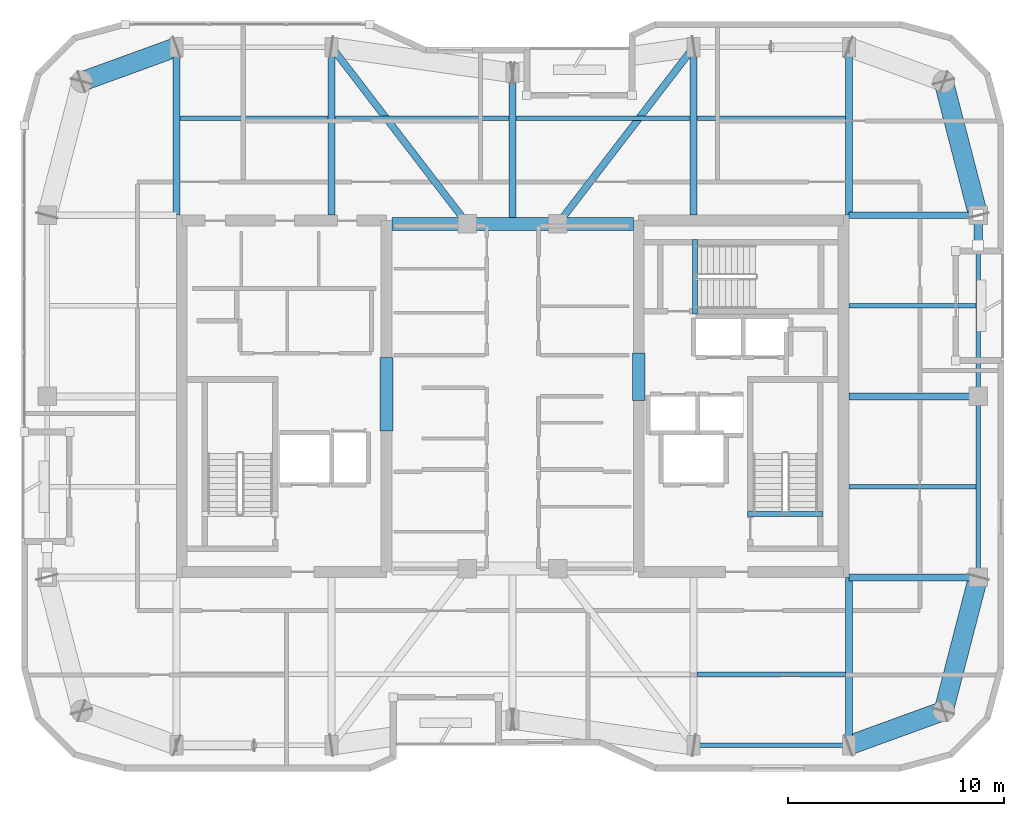
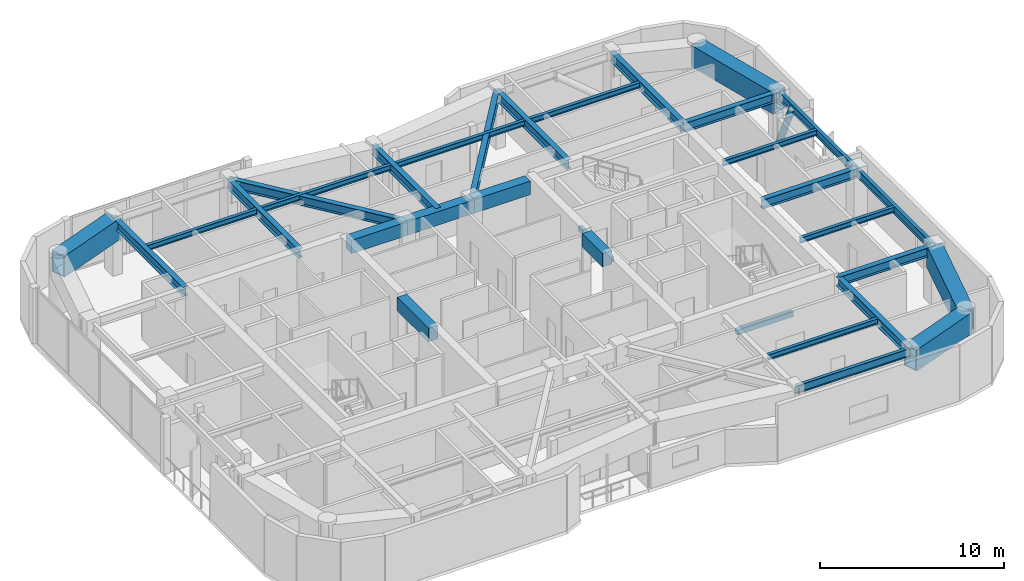
# One storey, part 5 of 16: 32 beams, 1 member.
"""IFC4 building model written with IfcOpenShell, lengths in metres."""

from ifc_helpers import new_model, si_unit, direction, frame, origin, origin_2d, place, context, subcontext, project, spatial, rectangle, hollow_rectangle, hollow_circle, i_section, extrude, material, material_profile, profile_set, type_object, element, save


model = new_model("IFC4")

# Units and contexts
model_context = context("Model", 3, precision=1e-05, world=origin(), true_north=direction((0.0, 1.0)))
body_context = subcontext(model_context, "Body", "Model", "MODEL_VIEW")
ifc_project = project(units=[si_unit("LENGTHUNIT", "METRE"), si_unit("AREAUNIT", "SQUARE_METRE"), si_unit("VOLUMEUNIT", "CUBIC_METRE"), si_unit("PLANEANGLEUNIT", "RADIAN"), si_unit("MASSUNIT", "GRAM", prefix="KILO")], contexts=[model_context])

# Site, building, storey
site_placement = place(None, origin())
site = spatial("IfcSite", under=ifc_project, at=site_placement, CompositionType="ELEMENT")
building_placement = place(site_placement, origin())
building = spatial("IfcBuilding", under=site, at=building_placement, Name="Kiyonajd Concourse Tower", CompositionType="ELEMENT")
storey_placement = place(building_placement, frame((0.0, 0.0, 333.60009765625)))
storey = spatial("IfcBuildingStorey", under=building, at=storey_placement, Name="L84", CompositionType="ELEMENT", Elevation=333.60009765625)

# Beams
ifc_material_1 = material(Name="Concrete C60/75", Category="concrete")
ifc_material_profile_1 = material_profile(ifc_material_1, rectangle(XDim=0.60009765625, YDim=0.89990234375, at=origin_2d()), Name="RCBM-600x900")
ifc_profile_set_1 = profile_set([ifc_material_profile_1], Name="Concrete C60/75")
beam_type_1 = type_object("IfcBeamType", Name="BM-COUP-900", PredefinedType="LINTEL", material=ifc_profile_set_1)
beam_1_placement = place(storey_placement, frame((42.39990234375, 44.0, 3.22998046875), z_axis=(1.0, 0.0, 0.0), x_axis=(0.0, 1.0, 0.0)))
element("IfcBeam", 1, at=beam_1_placement, inside=storey, type_object=beam_type_1, Name="L84 Core Coupling Beam N1", PredefinedType="LINTEL", context=body_context, shape_type="SweptSolid", body=[
    extrude(rectangle(XDim=0.60009765625, YDim=0.89990234375, at=origin_2d()), origin(), (0.0, 0.0, 1.0), 3.5),
])
beam_2_placement = place(storey_placement, frame((45.89990234375, 44.0, 3.22998046875), z_axis=(1.0, 0.0, 0.0), x_axis=(0.0, 1.0, 0.0)))
element("IfcBeam", 2, at=beam_2_placement, inside=storey, type_object=beam_type_1, Name="L84 Core Coupling Beam N2", PredefinedType="LINTEL", context=body_context, shape_type="SweptSolid", body=[
    extrude(rectangle(XDim=0.60009765625, YDim=0.89990234375, at=origin_2d()), origin(), (0.0, 0.0, 1.0), 4.2001953125),
])
beam_3_placement = place(storey_placement, frame((50.10009765625, 44.0, 3.22998046875), z_axis=(1.0, 0.0, 0.0), x_axis=(0.0, 1.0, 0.0)))
element("IfcBeam", 3, at=beam_3_placement, inside=storey, type_object=beam_type_1, Name="L84 Core Coupling Beam N3", PredefinedType="LINTEL", context=body_context, shape_type="SweptSolid", body=[
    extrude(rectangle(XDim=0.60009765625, YDim=0.89990234375, at=origin_2d()), origin(), (0.0, 0.0, 1.0), 3.5),
])
beam_4_placement = place(storey_placement, frame((42.14990234375, 34.39990234375, 3.22998046875), z_axis=(0.0, 1.0, 0.0), x_axis=(-1.0, 0.0, 0.0)))
element("IfcBeam", 4, at=beam_4_placement, inside=storey, type_object=beam_type_1, Name="L84 West Core Throat Coupling Lintel", PredefinedType="LINTEL", context=body_context, shape_type="SweptSolid", body=[
    extrude(rectangle(XDim=0.60009765625, YDim=0.89990234375, at=origin_2d()), origin(), (0.0, 0.0, 1.0), 3.400146484375),
])
beam_5_placement = place(storey_placement, frame((53.85009765625, 35.800048828125, 3.22998046875), z_axis=(0.0, 1.0, 0.0), x_axis=(-1.0, 0.0, 0.0)))
element("IfcBeam", 5, at=beam_5_placement, inside=storey, type_object=beam_type_1, Name="L84 East Core Throat Coupling Lintel", PredefinedType="LINTEL", context=body_context, shape_type="SweptSolid", body=[
    extrude(rectangle(XDim=0.60009765625, YDim=0.89990234375, at=origin_2d()), origin(), (0.0, 0.0, 1.0), 2.199951171875),
])
ifc_material_2 = material(Name="Steel ASTM A992 Grade 50", Category="steel")
ifc_material_profile_2 = material_profile(ifc_material_2, i_section(OverallWidth=0.205078125, OverallDepth=0.35400390625, WebThickness=0.009521484375, FlangeThickness=0.016845703125, at=origin_2d()), Name="W360X79")
ifc_profile_set_2 = profile_set([ifc_material_profile_2], Name="Steel ASTM A992 Grade 50")
beam_type_2 = type_object("IfcBeamType", Name="BM-JST-360", PredefinedType="JOIST", material=ifc_profile_set_2)
for number, where, z_axis, x_axis, name in (
    (6, (56.56201171875, 23.10009765625, 3.5029296875), (1.0, 0.0, 0.0), (0.0, 1.0, 0.0), "L84 Secondary Floor Joist"),
    (7, (32.56201171875, 48.89990234375, 3.5029296875), (1.0, 0.0, 0.0), (0.0, 1.0, 0.0), "L84 Secondary Floor Joist"),
):
    element("IfcBeam", number, at=place(storey_placement, frame(where, z_axis=z_axis, x_axis=x_axis)), inside=storey, type_object=beam_type_2, Name=name, PredefinedType="JOIST", context=body_context, shape_type="SweptSolid", body=[
        extrude(i_section(OverallWidth=0.205078125, OverallDepth=0.35400390625, WebThickness=0.009521484375, FlangeThickness=0.016845703125, at=origin_2d()), origin(), (0.0, 0.0, 1.0), 6.8759765625),
    ])
for number, where, z_axis, x_axis, name in (
    (8, (39.761962890625, 48.89990234375, 3.5029296875), (1.0, 0.0, 0.0), (0.0, 1.0, 0.0), "L84 Secondary Floor Joist"),
    (9, (48.162109375, 48.89990234375, 3.5029296875), (1.0, 0.0, 0.0), (0.0, 1.0, 0.0), "L84 Secondary Floor Joist"),
):
    element("IfcBeam", number, at=place(storey_placement, frame(where, z_axis=z_axis, x_axis=x_axis)), inside=storey, type_object=beam_type_2, Name=name, PredefinedType="JOIST", context=body_context, shape_type="SweptSolid", body=[
        extrude(i_section(OverallWidth=0.205078125, OverallDepth=0.35400390625, WebThickness=0.009521484375, FlangeThickness=0.016845703125, at=origin_2d()), origin(), (0.0, 0.0, 1.0), 8.075927734375),
    ])
beam_6_placement = place(storey_placement, frame((56.56201171875, 48.89990234375, 3.5029296875), z_axis=(1.0, 0.0, 0.0), x_axis=(0.0, 1.0, 0.0)))
element("IfcBeam", 10, at=beam_6_placement, inside=storey, type_object=beam_type_2, Name="L84 Secondary Floor Joist", PredefinedType="JOIST", context=body_context, shape_type="SweptSolid", body=[
    extrude(i_section(OverallWidth=0.205078125, OverallDepth=0.35400390625, WebThickness=0.009521484375, FlangeThickness=0.016845703125, at=origin_2d()), origin(), (0.0, 0.0, 1.0), 6.8759765625),
])
for number, where, z_axis, x_axis, name in (
    (11, (63.60009765625, 31.800048828125, 3.5029296875), (1.0, 0.0, 0.0), (0.0, 1.0, 0.0), "L84 East Secondary Floor Joist"),
    (12, (63.60009765625, 40.199951171875, 3.5029296875), (1.0, 0.0, 0.0), (0.0, 1.0, 0.0), "L84 East Secondary Floor Joist"),
):
    element("IfcBeam", number, at=place(storey_placement, frame(where, z_axis=z_axis, x_axis=x_axis)), inside=storey, type_object=beam_type_2, Name=name, PredefinedType="JOIST", context=body_context, shape_type="SweptSolid", body=[
        extrude(i_section(OverallWidth=0.205078125, OverallDepth=0.35400390625, WebThickness=0.009521484375, FlangeThickness=0.016845703125, at=origin_2d()), origin(), (0.0, 0.0, 1.0), 5.894287109375),
    ])
ifc_material_3 = material(Name="Concrete C50/60", Category="concrete")
ifc_material_profile_3 = material_profile(ifc_material_3, rectangle(XDim=0.239990234375, YDim=0.320068359375, at=origin_2d()), Name="RCBM-240x320")
ifc_profile_set_3 = profile_set([ifc_material_profile_3], Name="Concrete C50/60")
beam_type_3 = type_object("IfcBeamType", Name="BM-LNT-250", PredefinedType="LINTEL", material=ifc_profile_set_3)
beam_7_placement = place(storey_placement, frame((58.889892578125, 30.530029296875, -0.16015625), z_axis=(1.0, 0.0, 0.0), x_axis=(0.0, 1.0, 0.0)))
element("IfcBeam", 13, at=beam_7_placement, inside=storey, type_object=beam_type_3, Name="L84 Stair ST2 Threshold Support Beam", PredefinedType="LINTEL", context=body_context, shape_type="SweptSolid", body=[
    extrude(rectangle(XDim=0.239990234375, YDim=0.320068359375, at=origin_2d()), origin(), (0.0, 0.0, 1.0), 3.52001953125),
])
beam_8_placement = place(storey_placement, frame((56.4599609375, 39.820068359375, -0.16015625), z_axis=(0.0, 1.0, 0.0), x_axis=(-1.0, 0.0, 0.0)))
element("IfcBeam", 14, at=beam_8_placement, inside=storey, type_object=beam_type_3, Name="L84 Stair ST3 Threshold Support Beam", PredefinedType="LINTEL", context=body_context, shape_type="SweptSolid", body=[
    extrude(rectangle(XDim=0.239990234375, YDim=0.320068359375, at=origin_2d()), origin(), (0.0, 0.0, 1.0), 3.4599609375),
])
ifc_material_profile_4 = material_profile(ifc_material_2, i_section(OverallWidth=0.2109375, OverallDepth=0.5390625, WebThickness=0.01171875, FlangeThickness=0.018798828125, at=origin_2d()), Name="W530X109")
ifc_profile_set_4 = profile_set([ifc_material_profile_4], Name="Steel ASTM A992 Grade 50")
beam_type_4 = type_object("IfcBeamType", Name="BM-SPAN-530B", PredefinedType="SPANDREL", material=ifc_profile_set_4)
beam_9_placement = place(storey_placement, frame((56.39990234375, 19.800048828125, 3.410400390625), z_axis=(1.0, 0.0, 0.0), x_axis=(0.0, 1.0, 0.0)))
element("IfcBeam", 15, at=beam_9_placement, inside=storey, type_object=beam_type_4, Name="L84 Perimeter Bundled Tube Spandrel", PredefinedType="SPANDREL", context=body_context, shape_type="SweptSolid", body=[
    extrude(i_section(OverallWidth=0.2109375, OverallDepth=0.5390625, WebThickness=0.01171875, FlangeThickness=0.018798828125, at=origin_2d()), origin(), (0.0, 0.0, 1.0), 7.2001953125),
])
for number, where, z_axis, x_axis, name in (
    (16, (69.60009765625, 27.60009765625, 3.410400390625), (0.0, 1.0, 0.0), (-1.0, 0.0, 0.0), "L84 Perimeter Bundled Tube Spandrel"),
    (17, (69.60009765625, 36.0, 3.410400390625), (0.0, 1.0, 0.0), (-1.0, 0.0, 0.0), "L84 Perimeter Bundled Tube Spandrel"),
):
    element("IfcBeam", number, at=place(storey_placement, frame(where, z_axis=z_axis, x_axis=x_axis)), inside=storey, type_object=beam_type_4, Name=name, PredefinedType="SPANDREL", context=body_context, shape_type="SweptSolid", body=[
        extrude(i_section(OverallWidth=0.2109375, OverallDepth=0.5390625, WebThickness=0.01171875, FlangeThickness=0.018798828125, at=origin_2d()), origin(), (0.0, 0.0, 1.0), 8.39990234375),
    ])
ifc_material_profile_5 = material_profile(ifc_material_2, i_section(OverallWidth=0.326904296875, OverallDepth=0.6220703125, WebThickness=0.015380859375, FlangeThickness=0.0244140625, at=origin_2d()), Name="W610X195")
ifc_profile_set_5 = profile_set([ifc_material_profile_5], Name="Steel ASTM A992 Grade 50")
beam_type_5 = type_object("IfcBeamType", Name="BM-TWR-610A", PredefinedType="BEAM", material=ifc_profile_set_5)
for number, where, z_axis, x_axis, name in (
    (18, (39.60009765625, 52.199951171875, 3.368896484375), (0.609233709922, -0.792990722956, 0.0), (0.792990722956, 0.609233709922, 0.0), "L84 Core Tie Girder"),
    (19, (50.10009765625, 44.0, 3.368896484375), (0.609233709922, 0.792990722956, 0.0), (-0.792990722956, 0.609233709922, 0.0), "L84 Core Tie Girder"),
):
    element("IfcBeam", number, at=place(storey_placement, frame(where, z_axis=z_axis, x_axis=x_axis)), inside=storey, type_object=beam_type_5, Name=name, PredefinedType="BEAM", context=body_context, shape_type="SweptSolid", body=[
        extrude(i_section(OverallWidth=0.326904296875, OverallDepth=0.6220703125, WebThickness=0.015380859375, FlangeThickness=0.0244140625, at=origin_2d()), origin(), (0.0, 0.0, 1.0), 10.340576171875),
    ])
ifc_material_profile_6 = material_profile(ifc_material_2, i_section(OverallWidth=0.323974609375, OverallDepth=0.611083984375, WebThickness=0.0126953125, FlangeThickness=0.01904296875, at=origin_2d()), Name="W610X155")
ifc_profile_set_6 = profile_set([ifc_material_profile_6], Name="Steel ASTM A992 Grade 50")
beam_type_6 = type_object("IfcBeamType", Name="BM-TWR-610B", PredefinedType="BEAM", material=ifc_profile_set_6)
for number, where, z_axis, x_axis, name in (
    (20, (32.39990234375, 44.39990234375, 3.37451171875), (0.0, 1.0, 0.0), (-1.0, 0.0, 0.0), "L84 North Lease Girder"),
    (21, (39.60009765625, 44.39990234375, 3.37451171875), (0.0, 1.0, 0.0), (-1.0, 0.0, 0.0), "L84 North Lease Girder"),
    (22, (56.39990234375, 44.39990234375, 3.37451171875), (0.0, 1.0, 0.0), (-1.0, 0.0, 0.0), "L84 North Lease Girder"),
    (23, (63.60009765625, 19.800048828125, 3.37451171875), (0.0, 1.0, 0.0), (-1.0, 0.0, 0.0), "L84 South Lease Girder"),
    (24, (63.60009765625, 44.39990234375, 3.37451171875), (0.0, 1.0, 0.0), (-1.0, 0.0, 0.0), "L84 North Lease Girder"),
):
    element("IfcBeam", number, at=place(storey_placement, frame(where, z_axis=z_axis, x_axis=x_axis)), inside=storey, type_object=beam_type_6, Name=name, PredefinedType="BEAM", context=body_context, shape_type="SweptSolid", body=[
        extrude(i_section(OverallWidth=0.323974609375, OverallDepth=0.611083984375, WebThickness=0.0126953125, FlangeThickness=0.01904296875, at=origin_2d()), origin(), (0.0, 0.0, 1.0), 7.800048828125),
    ])
beam_10_placement = place(storey_placement, frame((48.0, 44.0, 3.37451171875), z_axis=(0.0, 1.0, 0.0), x_axis=(-1.0, 0.0, 0.0)))
element("IfcBeam", 25, at=beam_10_placement, inside=storey, type_object=beam_type_6, Name="L84 North Ribbon Girder", PredefinedType="BEAM", context=body_context, shape_type="SweptSolid", body=[
    extrude(i_section(OverallWidth=0.323974609375, OverallDepth=0.611083984375, WebThickness=0.0126953125, FlangeThickness=0.01904296875, at=origin_2d()), origin(), (0.0, 0.0, 1.0), 7.0),
])
for number, where, z_axis, x_axis, name in (
    (26, (63.60009765625, 27.60009765625, 3.37451171875), (1.0, 0.0, 0.0), (0.0, 1.0, 0.0), "L84 East Lease Girder"),
    (27, (63.60009765625, 36.0, 3.37451171875), (1.0, 0.0, 0.0), (0.0, 1.0, 0.0), "L84 East Lease Girder"),
    (28, (63.60009765625, 44.39990234375, 3.37451171875), (1.0, 0.0, 0.0), (0.0, 1.0, 0.0), "L84 East Lease Girder"),
):
    element("IfcBeam", number, at=place(storey_placement, frame(where, z_axis=z_axis, x_axis=x_axis)), inside=storey, type_object=beam_type_6, Name=name, PredefinedType="BEAM", context=body_context, shape_type="SweptSolid", body=[
        extrude(i_section(OverallWidth=0.323974609375, OverallDepth=0.611083984375, WebThickness=0.0126953125, FlangeThickness=0.01904296875, at=origin_2d()), origin(), (0.0, 0.0, 1.0), 6.0),
    ])
ifc_material_4 = material(Name="Steel ASTM A572 Grade 50", Category="steel")
ifc_material_profile_7 = material_profile(ifc_material_4, hollow_rectangle(XDim=0.89990234375, YDim=1.39990234375, WallThickness=0.070068359375, at=origin_2d()), Name="BOX-1400x900x70")
ifc_profile_set_7 = profile_set([ifc_material_profile_7], Name="Steel ASTM A572 Grade 50")
beam_type_7 = type_object("IfcBeamType", Name="BM-XFER-1400", PredefinedType="BEAM", material=ifc_profile_set_7)
beam_11_placement = place(storey_placement, frame((63.60009765625, 19.800048828125, 2.97998046875), z_axis=(0.939801036019, 0.341722127901, 0.0), x_axis=(-0.341722127901, 0.939801036019, 0.0)))
element("IfcBeam", 29, at=beam_11_placement, inside=storey, type_object=beam_type_7, Name="L84 Perimeter Bundled Tube Spandrel", PredefinedType="BEAM", context=body_context, shape_type="SweptSolid", body=[
    extrude(hollow_rectangle(XDim=0.89990234375, YDim=1.39990234375, WallThickness=0.070068359375, at=origin_2d()), origin(), (0.0, 0.0, 1.0), 4.681640625),
])
for number, where, z_axis, x_axis, name in (
    (30, (68.0, 21.39990234375, 2.97998046875), (0.249884937687, 0.968275538221, 0.0), (-0.968275538221, 0.249884937687, 0.0), "L84 Perimeter Bundled Tube Spandrel"),
    (31, (69.60009765625, 44.39990234375, 2.97998046875), (-0.249884937687, 0.968275538221, 0.0), (-0.968275538221, -0.249884937687, 0.0), "L84 Perimeter Bundled Tube Spandrel"),
):
    element("IfcBeam", number, at=place(storey_placement, frame(where, z_axis=z_axis, x_axis=x_axis)), inside=storey, type_object=beam_type_7, Name=name, PredefinedType="BEAM", context=body_context, shape_type="SweptSolid", body=[
        extrude(hollow_rectangle(XDim=0.89990234375, YDim=1.39990234375, WallThickness=0.070068359375, at=origin_2d()), origin(), (0.0, 0.0, 1.0), 6.4033203125),
    ])
beam_12_placement = place(storey_placement, frame((32.39990234375, 52.199951171875, 2.97998046875), z_axis=(-0.939801036019, -0.341722127901, 0.0), x_axis=(0.341722127901, -0.939801036019, 0.0)))
element("IfcBeam", 32, at=beam_12_placement, inside=storey, type_object=beam_type_7, Name="L84 Perimeter Bundled Tube Spandrel", PredefinedType="BEAM", context=body_context, shape_type="SweptSolid", body=[
    extrude(hollow_rectangle(XDim=0.89990234375, YDim=1.39990234375, WallThickness=0.070068359375, at=origin_2d()), origin(), (0.0, 0.0, 1.0), 4.681640625),
])

# Member
ifc_material_5 = material(Name="Steel ASTM A500 Grade C", Category="steel")
ifc_material_profile_8 = material_profile(ifc_material_5, hollow_circle(Radius=0.202880859375, WallThickness=0.01904296875, at=origin_2d()), Name="CHS-406x19")
ifc_profile_set_8 = profile_set([ifc_material_profile_8], Name="Steel ASTM A500 Grade C")
member_type = type_object("IfcMemberType", Name="MB-PB-HIGH", PredefinedType="BRACE", material=ifc_profile_set_8)
member_placement = place(storey_placement, frame((69.60009765625, 44.39990234375, 0.2998046875), z_axis=(0.0, -0.419410666774, 0.907796614114), x_axis=(1.0, 0.0, 0.0)))
element("IfcMember", 33, at=member_placement, inside=storey, type_object=member_type, Name="L84 Upper Zone Hollow Tube Brace PBE", PredefinedType="BRACE", context=body_context, shape_type="SweptSolid", body=[
    extrude(hollow_circle(Radius=0.202880859375, WallThickness=0.01904296875, at=origin_2d()), origin(), (0.0, 0.0, 1.0), 3.337890625),
])

save(model, "model.ifc")
